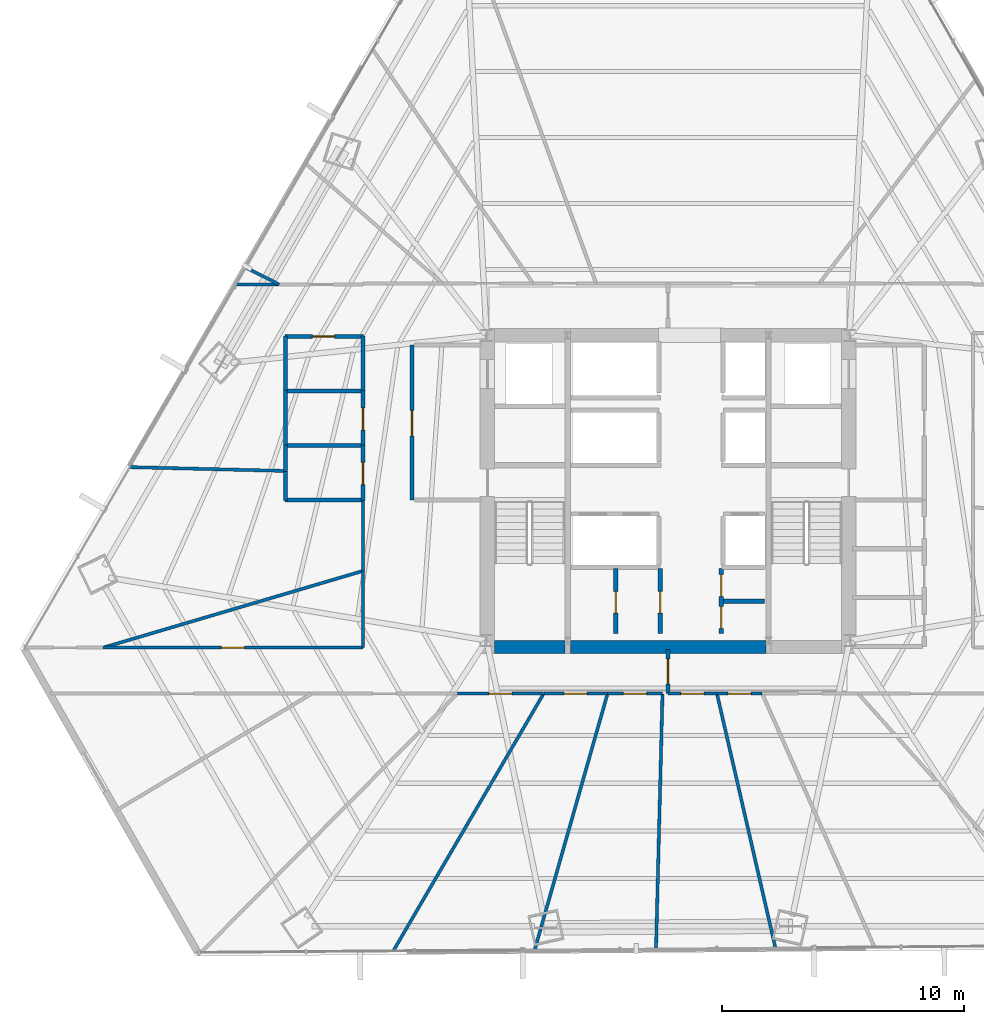
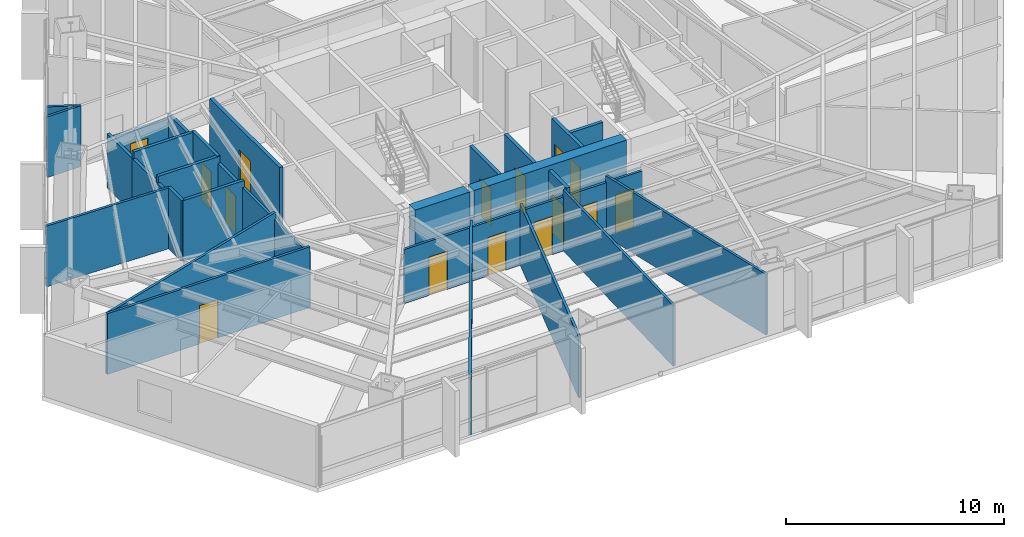
# One storey, part 30 of 36: 35 walls, 15 doors, 15 openings.
"""IFC4 building model written with IfcOpenShell, lengths in metres."""

from ifc_helpers import new_model, si_unit, direction, frame, frame_2d, origin, place, context, subcontext, project, spatial, rectangle, extrude, material, layer, layer_set, type_object, element, fill, save


model = new_model("IFC4")

# Units and contexts
model_context = context("Model", 3, precision=1e-05, world=origin(), true_north=direction((0.0, 1.0)))
body_context = subcontext(model_context, "Body", "Model", "MODEL_VIEW")
ifc_project = project(units=[si_unit("LENGTHUNIT", "METRE"), si_unit("AREAUNIT", "SQUARE_METRE"), si_unit("VOLUMEUNIT", "CUBIC_METRE"), si_unit("PLANEANGLEUNIT", "RADIAN"), si_unit("MASSUNIT", "GRAM", prefix="KILO")], contexts=[model_context])

# Site, building, storey
site_placement = place(None, origin())
site = spatial("IfcSite", under=ifc_project, at=site_placement, CompositionType="ELEMENT")
building_placement = place(site_placement, origin())
building = spatial("IfcBuilding", under=site, at=building_placement, Name="Caelisora Broadcast Tower", CompositionType="ELEMENT")
storey_placement = place(building_placement, frame((0.0, 0.0, 64.10009765625)))
storey = spatial("IfcBuildingStorey", under=building, at=storey_placement, Name="L16", CompositionType="ELEMENT", Elevation=64.10009765625)

# Walls
ifc_material_1 = material(Name="Concrete 65 MPa (AS 3600 S65)", Category="concrete")
ifc_layer_1 = layer(ifc_material_1, 0.550048828125, Name="Concrete 65 MPa (AS 3600 S65)")
ifc_layer_set_1 = layer_set([ifc_layer_1], Name="Concrete 65 MPa (AS 3600 S65)")
wall_type_1 = type_object("IfcWallType", Name="CW4", PredefinedType="SHEAR", material=ifc_layer_set_1)
wall_1_placement = place(storey_placement, frame((30.840087890625, 17.125, 0.0), z_axis=(0.0, 0.0, 1.0), x_axis=(1.0, 0.0, 0.0)))
element("IfcWall", 1, at=wall_1_placement, inside=storey, type_object=wall_type_1, Name="L16 core shear wall CW4", PredefinedType="SHEAR", context=body_context, shape_type="SweptSolid", body=[
    extrude(rectangle(XDim=2.89990234375, YDim=0.550048828125, at=frame_2d((1.449951171875, 0.0))), origin(), (0.0, 0.0, 1.0), 3.64990234375),
])
wall_2_placement = place(storey_placement, frame((33.9599609375, 17.125, 0.0), z_axis=(0.0, 0.0, 1.0), x_axis=(1.0, 0.0, 0.0)))
element("IfcWall", 2, at=wall_2_placement, inside=storey, type_object=wall_type_1, Name="L16 core shear wall CW4", PredefinedType="SHEAR", context=body_context, shape_type="SweptSolid", body=[
    extrude(rectangle(XDim=8.080078125, YDim=0.550048828125, at=frame_2d((4.0400390625, 0.0))), origin(), (0.0, 0.0, 1.0), 3.64990234375),
])

# Wall, opening, door
ifc_material_2 = material(Name="Fire-Rated Gypsum Shaft and Compartment Wall", Category="gypsum")
ifc_layer_2 = layer(ifc_material_2, 0.179931640625, Name="Fire-Rated Gypsum Shaft and Compartment Wall")
ifc_layer_set_2 = layer_set([ifc_layer_2], Name="Fire-Rated Gypsum Shaft and Compartment Wall")
wall_type_2 = type_object("IfcWallType", Name="PW2", PredefinedType="PARTITIONING", material=ifc_layer_set_2)
wall_3_placement = place(storey_placement, frame((27.419921875, 23.199951171875, 0.0), z_axis=(0.0, 0.0, 1.0), x_axis=(0.0, 1.0, 0.0)))
wall_3 = element("IfcWall", 3, at=wall_3_placement, inside=storey, type_object=wall_type_2, Name="L16 fire compartment wall PW2", PredefinedType="PARTITIONING", context=body_context, shape_type="SweptSolid", body=[
    extrude(rectangle(XDim=6.400146484375, YDim=0.179931640625, at=frame_2d((3.2001953125, 0.0))), origin(), (0.0, 0.0, 1.0), 3.39990234375),
])
opening_1_placement = place(wall_3_placement, frame((2.64990234375, 0.0, 0.0)))
opening_1 = element("IfcOpeningElement", 4, at=opening_1_placement, cuts=wall_3, Name="Opening FD02", PredefinedType="OPENING", context=body_context, shape_type="SweptSolid", body=[
    extrude(rectangle(XDim=1.050048828125, YDim=2.14990234375, at=frame_2d((0.52490234375, 1.074951171875))), frame((0.0, 0.10205078125, 0.0), z_axis=(0.0, -1.0, 0.0), x_axis=(1.0, 0.0, 0.0)), (0.0, 0.0, 1.0), 0.203857421875),
])
ifc_material_3 = material(Name="Single-Leaf Steel Fire Lobby Door", Category="steel")
door_type_1 = type_object("IfcDoorType", Name="FD02", OperationType="NOTDEFINED", PredefinedType="DOOR", material=ifc_material_3)
door_1_placement = place(opening_1_placement, origin())
door_1 = element("IfcDoor", 5, at=door_1_placement, inside=storey, type_object=door_type_1, Name="L16 door FD02 (L16-DR-P01D1)", OperationType="SINGLE_SWING_RIGHT", OverallHeight=2.14990234375, OverallWidth=1.050048828125, PredefinedType="DOOR", context=body_context, shape_type="SweptSolid", body=[
    extrude(rectangle(XDim=1.050048828125, YDim=2.14990234375, at=frame_2d((0.52490234375, 1.074951171875))), frame((0.0, 0.02490234375, 0.0), z_axis=(0.0, -1.0, 0.0), x_axis=(1.0, 0.0, 0.0)), (0.0, 0.0, 1.0), 0.050048828125),
])
fill(opening_1, door_1)

wall_4_placement = place(storey_placement, frame((35.840087890625, 17.679931640625, 0.0), z_axis=(0.0, 0.0, 1.0), x_axis=(0.0, 1.0, 0.0)))
wall_4 = element("IfcWall", 6, at=wall_4_placement, inside=storey, type_object=wall_type_2, Name="L16 fire compartment wall PW2", PredefinedType="PARTITIONING", context=body_context, shape_type="SweptSolid", body=[
    extrude(rectangle(XDim=2.699951171875, YDim=0.179931640625, at=frame_2d((1.35009765625, 0.0))), origin(), (0.0, 0.0, 1.0), 3.39990234375),
])
opening_2_placement = place(wall_4_placement, frame((0.85009765625, 0.0, 0.0)))
opening_2 = element("IfcOpeningElement", 7, at=opening_2_placement, cuts=wall_4, Name="Opening FD03", PredefinedType="OPENING", context=body_context, shape_type="SweptSolid", body=[
    extrude(rectangle(XDim=0.89990234375, YDim=2.10009765625, at=frame_2d((0.449951171875, 1.050048828125))), frame((0.0, 0.10205078125, 0.0), z_axis=(0.0, -1.0, 0.0), x_axis=(1.0, 0.0, 0.0)), (0.0, 0.0, 1.0), 0.203857421875),
])
ifc_material_4 = material(Name="Single-Leaf Steel Riser Fire Access Door", Category="steel")
door_type_2 = type_object("IfcDoorType", Name="FD03", OperationType="NOTDEFINED", PredefinedType="DOOR", material=ifc_material_4)
door_2_placement = place(opening_2_placement, origin())
door_2 = element("IfcDoor", 8, at=door_2_placement, inside=storey, type_object=door_type_2, Name="L16 door FD03 (L16-DR-P11D1)", OperationType="SINGLE_SWING_RIGHT", OverallHeight=2.10009765625, OverallWidth=0.89990234375, PredefinedType="DOOR", context=body_context, shape_type="SweptSolid", body=[
    extrude(rectangle(XDim=0.89990234375, YDim=2.10009765625, at=frame_2d((0.449951171875, 1.050048828125))), frame((0.0, 0.02490234375, 0.0), z_axis=(0.0, -1.0, 0.0), x_axis=(1.0, 0.0, 0.0)), (0.0, 0.0, 1.0), 0.050048828125),
])
fill(opening_2, door_2)

wall_5_placement = place(storey_placement, frame((37.679931640625, 17.679931640625, 0.0), z_axis=(0.0, 0.0, 1.0), x_axis=(0.0, 1.0, 0.0)))
wall_5 = element("IfcWall", 9, at=wall_5_placement, inside=storey, type_object=wall_type_2, Name="L16 fire compartment wall PW2", PredefinedType="PARTITIONING", context=body_context, shape_type="SweptSolid", body=[
    extrude(rectangle(XDim=2.699951171875, YDim=0.179931640625, at=frame_2d((1.35009765625, 0.0))), origin(), (0.0, 0.0, 1.0), 3.39990234375),
])
opening_3_placement = place(wall_5_placement, frame((0.85009765625, 0.0, 0.0)))
opening_3 = element("IfcOpeningElement", 10, at=opening_3_placement, cuts=wall_5, Name="Opening FD03", PredefinedType="OPENING", context=body_context, shape_type="SweptSolid", body=[
    extrude(rectangle(XDim=0.89990234375, YDim=2.10009765625, at=frame_2d((0.449951171875, 1.050048828125))), frame((0.0, 0.10205078125, 0.0), z_axis=(0.0, -1.0, 0.0), x_axis=(1.0, 0.0, 0.0)), (0.0, 0.0, 1.0), 0.203857421875),
])
door_3_placement = place(opening_3_placement, origin())
door_3 = element("IfcDoor", 11, at=door_3_placement, inside=storey, type_object=door_type_2, Name="L16 door FD03 (L16-DR-P12D1)", OperationType="SINGLE_SWING_LEFT", OverallHeight=2.10009765625, OverallWidth=0.89990234375, PredefinedType="DOOR", context=body_context, shape_type="SweptSolid", body=[
    extrude(rectangle(XDim=0.89990234375, YDim=2.10009765625, at=frame_2d((0.449951171875, 1.050048828125))), frame((0.0, 0.02490234375, 0.0), z_axis=(0.0, -1.0, 0.0), x_axis=(1.0, 0.0, 0.0)), (0.0, 0.0, 1.0), 0.050048828125),
])
fill(opening_3, door_3)

# Wall
wall_6_placement = place(storey_placement, frame((40.280029296875, 19.02001953125, 0.0), z_axis=(0.0, 0.0, 1.0), x_axis=(1.0, 0.0, 0.0)))
element("IfcWall", 12, at=wall_6_placement, inside=storey, type_object=wall_type_2, Name="L16 fire compartment wall PW2", PredefinedType="PARTITIONING", context=body_context, shape_type="SweptSolid", body=[
    extrude(rectangle(XDim=1.699951171875, YDim=0.179931640625, at=frame_2d((0.85009765625, 0.0))), origin(), (0.0, 0.0, 1.0), 3.39990234375),
])

# Wall, openings, doors
wall_7_placement = place(storey_placement, frame((40.199951171875, 17.679931640625, 0.0), z_axis=(0.0, 0.0, 1.0), x_axis=(0.0, 1.0, 0.0)))
wall_7 = element("IfcWall", 13, at=wall_7_placement, inside=storey, type_object=wall_type_2, Name="L16 fire compartment wall PW2", PredefinedType="PARTITIONING", context=body_context, shape_type="SweptSolid", body=[
    extrude(rectangle(XDim=2.699951171875, YDim=0.179931640625, at=frame_2d((1.35009765625, 0.0))), origin(), (0.0, 0.0, 1.0), 3.39990234375),
])
opening_4_placement = place(wall_7_placement, frame((0.219970703125, 0.0, 0.0)))
opening_4 = element("IfcOpeningElement", 14, at=opening_4_placement, cuts=wall_7, Name="Opening FD03", PredefinedType="OPENING", context=body_context, shape_type="SweptSolid", body=[
    extrude(rectangle(XDim=0.89990234375, YDim=2.10009765625, at=frame_2d((0.449951171875, 1.050048828125))), frame((0.0, 0.10205078125, 0.0), z_axis=(0.0, -1.0, 0.0), x_axis=(1.0, 0.0, 0.0)), (0.0, 0.0, 1.0), 0.203857421875),
])
opening_5_placement = place(wall_7_placement, frame((1.5400390625, 0.0, 0.0)))
opening_5 = element("IfcOpeningElement", 15, at=opening_5_placement, cuts=wall_7, Name="Opening FD03", PredefinedType="OPENING", context=body_context, shape_type="SweptSolid", body=[
    extrude(rectangle(XDim=0.89990234375, YDim=2.10009765625, at=frame_2d((0.449951171875, 1.050048828125))), frame((0.0, 0.10205078125, 0.0), z_axis=(0.0, -1.0, 0.0), x_axis=(1.0, 0.0, 0.0)), (0.0, 0.0, 1.0), 0.203857421875),
])
door_4_placement = place(opening_4_placement, origin())
door_4 = element("IfcDoor", 16, at=door_4_placement, inside=storey, type_object=door_type_2, Name="L16 door FD03 (L16-DR-P14D1)", OperationType="SINGLE_SWING_RIGHT", OverallHeight=2.10009765625, OverallWidth=0.89990234375, PredefinedType="DOOR", context=body_context, shape_type="SweptSolid", body=[
    extrude(rectangle(XDim=0.89990234375, YDim=2.10009765625, at=frame_2d((0.449951171875, 1.050048828125))), frame((0.0, 0.02490234375, 0.0), z_axis=(0.0, -1.0, 0.0), x_axis=(1.0, 0.0, 0.0)), (0.0, 0.0, 1.0), 0.050048828125),
])
fill(opening_4, door_4)
door_5_placement = place(opening_5_placement, origin())
door_5 = element("IfcDoor", 17, at=door_5_placement, inside=storey, type_object=door_type_2, Name="L16 door FD03 (L16-DR-P14D2)", OperationType="SINGLE_SWING_LEFT", OverallHeight=2.10009765625, OverallWidth=0.89990234375, PredefinedType="DOOR", context=body_context, shape_type="SweptSolid", body=[
    extrude(rectangle(XDim=0.89990234375, YDim=2.10009765625, at=frame_2d((0.449951171875, 1.050048828125))), frame((0.0, 0.02490234375, 0.0), z_axis=(0.0, -1.0, 0.0), x_axis=(1.0, 0.0, 0.0)), (0.0, 0.0, 1.0), 0.050048828125),
])
fill(opening_5, door_5)

# Wall, opening, door
wall_8_placement = place(storey_placement, frame((38.0, 15.205078125, 0.0), z_axis=(0.0, 0.0, 1.0), x_axis=(0.0, 1.0, 0.0)))
wall_8 = element("IfcWall", 18, at=wall_8_placement, inside=storey, type_object=wall_type_2, Name="L16 fire compartment wall PW2", PredefinedType="PARTITIONING", context=body_context, shape_type="SweptSolid", body=[
    extrude(rectangle(XDim=1.81982421875, YDim=0.179931640625, at=frame_2d((0.909912109375, 0.0))), origin(), (0.0, 0.0, 1.0), 3.39990234375),
])
opening_6_placement = place(wall_8_placement, frame((0.385009765625, 0.0, 0.0)))
opening_6 = element("IfcOpeningElement", 19, at=opening_6_placement, cuts=wall_8, Name="Opening FD02", PredefinedType="OPENING", context=body_context, shape_type="SweptSolid", body=[
    extrude(rectangle(XDim=1.050048828125, YDim=2.14990234375, at=frame_2d((0.52490234375, 1.074951171875))), frame((0.0, 0.10205078125, 0.0), z_axis=(0.0, -1.0, 0.0), x_axis=(1.0, 0.0, 0.0)), (0.0, 0.0, 1.0), 0.203857421875),
])
door_6_placement = place(opening_6_placement, origin())
door_6 = element("IfcDoor", 20, at=door_6_placement, inside=storey, type_object=door_type_1, Name="L16 door FD02 (L16-DR-P73D1)", OperationType="SINGLE_SWING_RIGHT", OverallHeight=2.14990234375, OverallWidth=1.050048828125, PredefinedType="DOOR", context=body_context, shape_type="SweptSolid", body=[
    extrude(rectangle(XDim=1.050048828125, YDim=2.14990234375, at=frame_2d((0.52490234375, 1.074951171875))), frame((0.0, 0.02490234375, 0.0), z_axis=(0.0, -1.0, 0.0), x_axis=(1.0, 0.0, 0.0)), (0.0, 0.0, 1.0), 0.050048828125),
])
fill(opening_6, door_6)

# Walls
ifc_material_5 = material(Name="Acoustic Steel-Stud Plasterboard Partition", Category="gypsum")
ifc_layer_3 = layer(ifc_material_5, 0.1298828125, Name="Acoustic Steel-Stud Plasterboard Partition")
ifc_layer_set_3 = layer_set([ifc_layer_3], Name="Acoustic Steel-Stud Plasterboard Partition")
wall_type_3 = type_object("IfcWallType", Name="PW3", PredefinedType="PARTITIONING", material=ifc_layer_set_3)
wall_9_placement = place(storey_placement, frame((26.643798828125, 4.56201171875, 0.0), z_axis=(0.0, 0.0, 1.0), x_axis=(0.504473601937, 0.863427116176, 0.0)))
element("IfcWall", 21, at=wall_9_placement, inside=storey, type_object=wall_type_3, Name="L16 internal partition PW3", PredefinedType="PARTITIONING", context=body_context, shape_type="SweptSolid", body=[
    extrude(rectangle(XDim=12.316162109375, YDim=0.1298828125, at=frame_2d((6.158203125, 0.0))), origin(), (0.0, 0.0, 1.0), 3.39990234375),
])
wall_10_placement = place(storey_placement, frame((14.6650390625, 17.10107421875, 0.0), z_axis=(0.0, 0.0, 1.0), x_axis=(0.959072405606, 0.283160945055, 0.0)))
element("IfcWall", 22, at=wall_10_placement, inside=storey, type_object=wall_type_3, Name="L16 internal partition PW3", PredefinedType="PARTITIONING", context=body_context, shape_type="SweptSolid", body=[
    extrude(rectangle(XDim=11.18798828125, YDim=0.1298828125, at=frame_2d((5.593994140625, 0.0))), origin(), (0.0, 0.0, 1.0), 3.39990234375),
])
wall_11_placement = place(storey_placement, frame((32.488037109375, 4.6083984375, 0.0), z_axis=(0.0, 0.0, 1.0), x_axis=(0.273563727283, 0.961853880335, 0.0)))
element("IfcWall", 23, at=wall_11_placement, inside=storey, type_object=wall_type_3, Name="L16 internal partition PW3", PredefinedType="PARTITIONING", context=body_context, shape_type="SweptSolid", body=[
    extrude(rectangle(XDim=11.006591796875, YDim=0.1298828125, at=frame_2d((5.50341796875, 0.0))), origin(), (0.0, 0.0, 1.0), 3.39990234375),
])
wall_12_placement = place(storey_placement, frame((40.02099609375, 15.195068359375, 0.0), z_axis=(0.0, 0.0, 1.0), x_axis=(0.224131778114, -0.974558846884, 0.0)))
element("IfcWall", 24, at=wall_12_placement, inside=storey, type_object=wall_type_3, Name="L16 internal partition PW3", PredefinedType="PARTITIONING", context=body_context, shape_type="SweptSolid", body=[
    extrude(rectangle(XDim=10.78173828125, YDim=0.1298828125, at=frame_2d((5.390869140625, 0.0))), origin(), (0.0, 0.0, 1.0), 3.39990234375),
])

# Wall, opening, door
wall_13_placement = place(storey_placement, frame((14.6650390625, 17.10009765625, 0.0), z_axis=(0.0, 0.0, 1.0), x_axis=(1.0, 0.0, 0.0)))
wall_13 = element("IfcWall", 25, at=wall_13_placement, inside=storey, type_object=wall_type_3, Name="L16 internal partition PW3", PredefinedType="PARTITIONING", context=body_context, shape_type="SweptSolid", body=[
    extrude(rectangle(XDim=10.72998046875, YDim=0.1298828125, at=frame_2d((5.364990234375, 0.0))), origin(), (0.0, 0.0, 1.0), 3.39990234375),
])
opening_7_placement = place(wall_13_placement, frame((4.885009765625, 0.0, 0.0)))
opening_7 = element("IfcOpeningElement", 26, at=opening_7_placement, cuts=wall_13, Name="Opening D01", PredefinedType="OPENING", context=body_context, shape_type="SweptSolid", body=[
    extrude(rectangle(XDim=0.9599609375, YDim=2.14990234375, at=frame_2d((0.47998046875, 1.074951171875))), frame((0.0, 0.076904296875, 0.0), z_axis=(0.0, -1.0, 0.0), x_axis=(1.0, 0.0, 0.0)), (0.0, 0.0, 1.0), 0.15380859375),
])
ifc_material_6 = material(Name="Solid-Core Timber Acoustic Office Door", Category="wood")
door_type_3 = type_object("IfcDoorType", Name="D01", OperationType="NOTDEFINED", PredefinedType="DOOR", material=ifc_material_6)
door_7_placement = place(opening_7_placement, origin())
door_7 = element("IfcDoor", 27, at=door_7_placement, inside=storey, type_object=door_type_3, Name="L16 door D01 (L16-DR-P42D1)", OperationType="SINGLE_SWING_RIGHT", OverallHeight=2.14990234375, OverallWidth=0.9599609375, PredefinedType="DOOR", context=body_context, shape_type="SweptSolid", body=[
    extrude(rectangle(XDim=0.9599609375, YDim=2.14990234375, at=frame_2d((0.47998046875, 1.074951171875))), frame((0.0, 0.02490234375, 0.0), z_axis=(0.0, -1.0, 0.0), x_axis=(1.0, 0.0, 0.0)), (0.0, 0.0, 1.0), 0.050048828125),
])
fill(opening_7, door_7)

# Walls
wall_14_placement = place(storey_placement, frame((37.50244140625, 4.6484375, 0.0), z_axis=(0.0, 0.0, 1.0), x_axis=(0.025362796142, 0.999678312545, 0.0)))
element("IfcWall", 28, at=wall_14_placement, inside=storey, type_object=wall_type_3, Name="L16 internal partition PW3", PredefinedType="PARTITIONING", context=body_context, shape_type="SweptSolid", body=[
    extrude(rectangle(XDim=10.550048828125, YDim=0.1298828125, at=frame_2d((5.27490234375, 0.0))), origin(), (0.0, 0.0, 1.0), 3.39990234375),
])
wall_15_placement = place(storey_placement, frame((15.75732421875, 24.557373046875, 0.0), z_axis=(0.0, 0.0, 1.0), x_axis=(0.99970097515, -0.024453226477, 0.0)))
element("IfcWall", 29, at=wall_15_placement, inside=storey, type_object=wall_type_3, Name="L16 internal partition PW3", PredefinedType="PARTITIONING", context=body_context, shape_type="SweptSolid", body=[
    extrude(rectangle(XDim=6.439697265625, YDim=0.1298828125, at=frame_2d((3.2197265625, 0.0))), origin(), (0.0, 0.0, 1.0), 3.39990234375),
])

# Wall, opening, door
wall_16_placement = place(storey_placement, frame((29.294921875, 15.199951171875, 0.0), z_axis=(0.0, 0.0, 1.0), x_axis=(1.0, 0.0, 0.0)))
wall_16 = element("IfcWall", 30, at=wall_16_placement, inside=storey, type_object=wall_type_3, Name="L16 internal partition PW3", PredefinedType="PARTITIONING", context=body_context, shape_type="SweptSolid", body=[
    extrude(rectangle(XDim=3.56005859375, YDim=0.1298828125, at=frame_2d((1.780029296875, 0.0))), origin(), (0.0, 0.0, 1.0), 3.0263671875),
])
opening_8_placement = place(wall_16_placement, frame((1.300048828125, 0.0, 0.0)))
opening_8 = element("IfcOpeningElement", 31, at=opening_8_placement, cuts=wall_16, Name="Opening D01", PredefinedType="OPENING", context=body_context, shape_type="SweptSolid", body=[
    extrude(rectangle(XDim=0.9599609375, YDim=2.14990234375, at=frame_2d((0.47998046875, 1.074951171875))), frame((0.0, 0.076904296875, 0.0), z_axis=(0.0, -1.0, 0.0), x_axis=(1.0, 0.0, 0.0)), (0.0, 0.0, 1.0), 0.15380859375),
])
door_8_placement = place(opening_8_placement, origin())
door_8 = element("IfcDoor", 32, at=door_8_placement, inside=storey, type_object=door_type_3, Name="L16 door D01 (L16-DR-P61D1)", OperationType="SINGLE_SWING_LEFT", OverallHeight=2.14990234375, OverallWidth=0.9599609375, PredefinedType="DOOR", context=body_context, shape_type="SweptSolid", body=[
    extrude(rectangle(XDim=0.9599609375, YDim=2.14990234375, at=frame_2d((0.47998046875, 1.074951171875))), frame((0.0, 0.02490234375, 0.0), z_axis=(0.0, -1.0, 0.0), x_axis=(1.0, 0.0, 0.0)), (0.0, 0.0, 1.0), 0.050048828125),
])
fill(opening_8, door_8)

# Walls
wall_17_placement = place(storey_placement, frame((25.39990234375, 17.10498046875, 0.0), z_axis=(0.0, 0.0, 1.0), x_axis=(0.0, 1.0, 0.0)))
element("IfcWall", 33, at=wall_17_placement, inside=storey, type_object=wall_type_3, Name="L16 internal partition PW3", PredefinedType="PARTITIONING", context=body_context, shape_type="SweptSolid", body=[
    extrude(rectangle(XDim=3.159912109375, YDim=0.1298828125, at=frame_2d((1.580078125, 0.0))), origin(), (0.0, 0.0, 1.0), 3.0263671875),
])
wall_18_placement = place(storey_placement, frame((25.39990234375, 20.27490234375, 0.0), z_axis=(0.0, 0.0, 1.0), x_axis=(0.0, 1.0, 0.0)))
element("IfcWall", 34, at=wall_18_placement, inside=storey, type_object=wall_type_3, Name="L16 internal partition PW3", PredefinedType="PARTITIONING", context=body_context, shape_type="SweptSolid", body=[
    extrude(rectangle(XDim=2.920166015625, YDim=0.1298828125, at=frame_2d((1.4599609375, 0.0))), origin(), (0.0, 0.0, 1.0), 3.0263671875),
])

# Wall, opening, door
wall_19_placement = place(storey_placement, frame((32.864990234375, 15.199951171875, 0.0), z_axis=(0.0, 0.0, 1.0), x_axis=(1.0, 0.0, 0.0)))
wall_19 = element("IfcWall", 35, at=wall_19_placement, inside=storey, type_object=wall_type_3, Name="L16 internal partition PW3", PredefinedType="PARTITIONING", context=body_context, shape_type="SweptSolid", body=[
    extrude(rectangle(XDim=2.630126953125, YDim=0.1298828125, at=frame_2d((1.31494140625, 0.0))), origin(), (0.0, 0.0, 1.0), 3.0263671875),
])
opening_9_placement = place(wall_19_placement, frame((0.8349609375, 0.0, 0.0)))
opening_9 = element("IfcOpeningElement", 36, at=opening_9_placement, cuts=wall_19, Name="Opening D01", PredefinedType="OPENING", context=body_context, shape_type="SweptSolid", body=[
    extrude(rectangle(XDim=0.9599609375, YDim=2.14990234375, at=frame_2d((0.47998046875, 1.074951171875))), frame((0.0, 0.076904296875, 0.0), z_axis=(0.0, -1.0, 0.0), x_axis=(1.0, 0.0, 0.0)), (0.0, 0.0, 1.0), 0.15380859375),
])
door_9_placement = place(opening_9_placement, origin())
door_9 = element("IfcDoor", 37, at=door_9_placement, inside=storey, type_object=door_type_3, Name="L16 door D01 (L16-DR-P68D1)", OperationType="SINGLE_SWING_RIGHT", OverallHeight=2.14990234375, OverallWidth=0.9599609375, PredefinedType="DOOR", context=body_context, shape_type="SweptSolid", body=[
    extrude(rectangle(XDim=0.9599609375, YDim=2.14990234375, at=frame_2d((0.47998046875, 1.074951171875))), frame((0.0, 0.02490234375, 0.0), z_axis=(0.0, -1.0, 0.0), x_axis=(1.0, 0.0, 0.0)), (0.0, 0.0, 1.0), 0.050048828125),
])
fill(opening_9, door_9)

wall_20_placement = place(storey_placement, frame((35.5048828125, 15.199951171875, 0.0), z_axis=(0.0, 0.0, 1.0), x_axis=(1.0, 0.0, 0.0)))
wall_20 = element("IfcWall", 38, at=wall_20_placement, inside=storey, type_object=wall_type_3, Name="L16 internal partition PW3", PredefinedType="PARTITIONING", context=body_context, shape_type="SweptSolid", body=[
    extrude(rectangle(XDim=2.260009765625, YDim=0.1298828125, at=frame_2d((1.1298828125, 0.0))), origin(), (0.0, 0.0, 1.0), 3.0263671875),
])
opening_10_placement = place(wall_20_placement, frame((0.64990234375, 0.0, 0.0)))
opening_10 = element("IfcOpeningElement", 39, at=opening_10_placement, cuts=wall_20, Name="Opening D01", PredefinedType="OPENING", context=body_context, shape_type="SweptSolid", body=[
    extrude(rectangle(XDim=0.9599609375, YDim=2.14990234375, at=frame_2d((0.47998046875, 1.074951171875))), frame((0.0, 0.076904296875, 0.0), z_axis=(0.0, -1.0, 0.0), x_axis=(1.0, 0.0, 0.0)), (0.0, 0.0, 1.0), 0.15380859375),
])
door_10_placement = place(opening_10_placement, origin())
door_10 = element("IfcDoor", 40, at=door_10_placement, inside=storey, type_object=door_type_3, Name="L16 door D01 (L16-DR-P70D1)", OperationType="SINGLE_SWING_RIGHT", OverallHeight=2.14990234375, OverallWidth=0.9599609375, PredefinedType="DOOR", context=body_context, shape_type="SweptSolid", body=[
    extrude(rectangle(XDim=0.9599609375, YDim=2.14990234375, at=frame_2d((0.47998046875, 1.074951171875))), frame((0.0, 0.02490234375, 0.0), z_axis=(0.0, -1.0, 0.0), x_axis=(1.0, 0.0, 0.0)), (0.0, 0.0, 1.0), 0.050048828125),
])
fill(opening_10, door_10)

wall_21_placement = place(storey_placement, frame((38.0048828125, 15.199951171875, 0.0), z_axis=(0.0, 0.0, 1.0), x_axis=(1.0, 0.0, 0.0)))
wall_21 = element("IfcWall", 41, at=wall_21_placement, inside=storey, type_object=wall_type_3, Name="L16 internal partition PW3", PredefinedType="PARTITIONING", context=body_context, shape_type="SweptSolid", body=[
    extrude(rectangle(XDim=2.010009765625, YDim=0.1298828125, at=frame_2d((1.0048828125, 0.0))), origin(), (0.0, 0.0, 1.0), 3.0263671875),
])
opening_11_placement = place(wall_21_placement, frame((0.52490234375, 0.0, 0.0)))
opening_11 = element("IfcOpeningElement", 42, at=opening_11_placement, cuts=wall_21, Name="Opening D01", PredefinedType="OPENING", context=body_context, shape_type="SweptSolid", body=[
    extrude(rectangle(XDim=0.9599609375, YDim=2.14990234375, at=frame_2d((0.47998046875, 1.074951171875))), frame((0.0, 0.076904296875, 0.0), z_axis=(0.0, -1.0, 0.0), x_axis=(1.0, 0.0, 0.0)), (0.0, 0.0, 1.0), 0.15380859375),
])
door_11_placement = place(opening_11_placement, origin())
door_11 = element("IfcDoor", 43, at=door_11_placement, inside=storey, type_object=door_type_3, Name="L16 door D01 (L16-DR-P71D1)", OperationType="SINGLE_SWING_LEFT", OverallHeight=2.14990234375, OverallWidth=0.9599609375, PredefinedType="DOOR", context=body_context, shape_type="SweptSolid", body=[
    extrude(rectangle(XDim=0.9599609375, YDim=2.14990234375, at=frame_2d((0.47998046875, 1.074951171875))), frame((0.0, 0.02490234375, 0.0), z_axis=(0.0, -1.0, 0.0), x_axis=(1.0, 0.0, 0.0)), (0.0, 0.0, 1.0), 0.050048828125),
])
fill(opening_11, door_11)

# Wall
wall_22_placement = place(storey_placement, frame((20.145751953125, 32.10009765625, 0.0), z_axis=(0.0, 0.0, 1.0), x_axis=(1.0, 0.0, 0.0)))
element("IfcWall", 44, at=wall_22_placement, inside=storey, type_object=wall_type_3, Name="L16 internal partition PW3", PredefinedType="PARTITIONING", context=body_context, shape_type="SweptSolid", body=[
    extrude(rectangle(XDim=1.789306640625, YDim=0.1298828125, at=frame_2d((0.89453125, 0.0))), origin(), (0.0, 0.0, 1.0), 3.39990234375),
])

# Wall, opening, door
wall_23_placement = place(storey_placement, frame((40.02490234375, 15.199951171875, 0.0), z_axis=(0.0, 0.0, 1.0), x_axis=(1.0, 0.0, 0.0)))
wall_23 = element("IfcWall", 45, at=wall_23_placement, inside=storey, type_object=wall_type_3, Name="L16 internal partition PW3", PredefinedType="PARTITIONING", context=body_context, shape_type="SweptSolid", body=[
    extrude(rectangle(XDim=1.860107421875, YDim=0.1298828125, at=frame_2d((0.93017578125, 0.0))), origin(), (0.0, 0.0, 1.0), 3.0263671875),
])
opening_12_placement = place(wall_23_placement, frame((0.449951171875, 0.0, 0.0)))
opening_12 = element("IfcOpeningElement", 46, at=opening_12_placement, cuts=wall_23, Name="Opening D01", PredefinedType="OPENING", context=body_context, shape_type="SweptSolid", body=[
    extrude(rectangle(XDim=0.9599609375, YDim=2.14990234375, at=frame_2d((0.47998046875, 1.074951171875))), frame((0.0, 0.076904296875, 0.0), z_axis=(0.0, -1.0, 0.0), x_axis=(1.0, 0.0, 0.0)), (0.0, 0.0, 1.0), 0.15380859375),
])
door_12_placement = place(opening_12_placement, origin())
door_12 = element("IfcDoor", 47, at=door_12_placement, inside=storey, type_object=door_type_3, Name="L16 door D01 (L16-DR-P74D1)", OperationType="SINGLE_SWING_LEFT", OverallHeight=2.14990234375, OverallWidth=0.9599609375, PredefinedType="DOOR", context=body_context, shape_type="SweptSolid", body=[
    extrude(rectangle(XDim=0.9599609375, YDim=2.14990234375, at=frame_2d((0.47998046875, 1.074951171875))), frame((0.0, 0.02490234375, 0.0), z_axis=(0.0, -1.0, 0.0), x_axis=(1.0, 0.0, 0.0)), (0.0, 0.0, 1.0), 0.050048828125),
])
fill(opening_12, door_12)

# Walls
wall_24_placement = place(storey_placement, frame((20.55224609375, 32.798583984375, 0.0), z_axis=(0.0, 0.0, 1.0), x_axis=(0.893226291154, -0.449607376264, 0.0)))
element("IfcWall", 48, at=wall_24_placement, inside=storey, type_object=wall_type_3, Name="L16 internal partition PW3", PredefinedType="PARTITIONING", context=body_context, shape_type="SweptSolid", body=[
    extrude(rectangle(XDim=1.54931640625, YDim=0.1298828125, at=frame_2d((0.774658203125, 0.0))), origin(), (0.0, 0.0, 1.0), 3.39990234375),
])
ifc_material_7 = material(Name="Moisture-Resistant Wet Plumbing Service Wall", Category="gypsum")
ifc_layer_4 = layer(ifc_material_7, 0.159912109375, Name="Moisture-Resistant Wet Plumbing Service Wall")
ifc_layer_set_4 = layer_set([ifc_layer_4], Name="Moisture-Resistant Wet Plumbing Service Wall")
wall_type_4 = type_object("IfcWallType", Name="PW4", PredefinedType="PLUMBINGWALL", material=ifc_layer_set_4)
for number, where, z_axis, x_axis, name in (
    (49, (22.175048828125, 23.199951171875, 0.0), (0.0, 0.0, 1.0), (1.0, 0.0, 0.0), "L16 wet plumbing wall PW4"),
    (50, (22.175048828125, 25.449951171875, 0.0), (0.0, 0.0, 1.0), (1.0, 0.0, 0.0), "L16 wet plumbing wall PW4"),
    (51, (22.175048828125, 27.699951171875, 0.0), (0.0, 0.0, 1.0), (1.0, 0.0, 0.0), "L16 wet plumbing wall PW4"),
):
    element("IfcWall", number, at=place(storey_placement, frame(where, z_axis=z_axis, x_axis=x_axis)), inside=storey, type_object=wall_type_4, Name=name, PredefinedType="PLUMBINGWALL", context=body_context, shape_type="SweptSolid", body=[
        extrude(rectangle(XDim=3.25, YDim=0.159912109375, at=frame_2d((1.625, 0.0))), origin(), (0.0, 0.0, 1.0), 3.39990234375),
    ])

# Wall, opening, door
wall_25_placement = place(storey_placement, frame((22.175048828125, 29.949951171875, 0.0), z_axis=(0.0, 0.0, 1.0), x_axis=(1.0, 0.0, 0.0)))
wall_25 = element("IfcWall", 52, at=wall_25_placement, inside=storey, type_object=wall_type_4, Name="L16 wet plumbing wall PW4", PredefinedType="PLUMBINGWALL", context=body_context, shape_type="SweptSolid", body=[
    extrude(rectangle(XDim=3.25, YDim=0.159912109375, at=frame_2d((1.625, 0.0))), origin(), (0.0, 0.0, 1.0), 2.78271484375),
])
opening_13_placement = place(wall_25_placement, frame((1.135009765625, 0.0, 0.0)))
opening_13 = element("IfcOpeningElement", 53, at=opening_13_placement, cuts=wall_25, Name="Opening D03", PredefinedType="OPENING", context=body_context, shape_type="SweptSolid", body=[
    extrude(rectangle(XDim=0.919921875, YDim=2.10009765625, at=frame_2d((0.4599609375, 1.050048828125))), frame((0.0, 0.092041015625, 0.0), z_axis=(0.0, -1.0, 0.0), x_axis=(1.0, 0.0, 0.0)), (0.0, 0.0, 1.0), 0.183837890625),
])
ifc_material_8 = material(Name="Laminate Moisture-Resistant Amenity WC Door", Category="wood")
door_type_4 = type_object("IfcDoorType", Name="D03", OperationType="NOTDEFINED", PredefinedType="DOOR", material=ifc_material_8)
door_13_placement = place(opening_13_placement, origin())
door_13 = element("IfcDoor", 54, at=door_13_placement, inside=storey, type_object=door_type_4, Name="L16 door D03 (L16-DR-P22D1)", OperationType="SINGLE_SWING_LEFT", OverallHeight=2.10009765625, OverallWidth=0.919921875, PredefinedType="DOOR", context=body_context, shape_type="SweptSolid", body=[
    extrude(rectangle(XDim=0.919921875, YDim=2.10009765625, at=frame_2d((0.4599609375, 1.050048828125))), frame((0.0, 0.02490234375, 0.0), z_axis=(0.0, -1.0, 0.0), x_axis=(1.0, 0.0, 0.0)), (0.0, 0.0, 1.0), 0.050048828125),
])
fill(opening_13, door_13)

wall_26_placement = place(storey_placement, frame((25.39990234375, 23.175048828125, 0.0), z_axis=(0.0, 0.0, 1.0), x_axis=(0.0, 1.0, 0.0)))
wall_26 = element("IfcWall", 55, at=wall_26_placement, inside=storey, type_object=wall_type_4, Name="L16 wet plumbing wall PW4", PredefinedType="PLUMBINGWALL", context=body_context, shape_type="SweptSolid", body=[
    extrude(rectangle(XDim=2.300048828125, YDim=0.159912109375, at=frame_2d((1.14990234375, 0.0))), origin(), (0.0, 0.0, 1.0), 3.0263671875),
])
opening_14_placement = place(wall_26_placement, frame((0.659912109375, 0.0, 0.0)))
opening_14 = element("IfcOpeningElement", 56, at=opening_14_placement, cuts=wall_26, Name="Opening D03", PredefinedType="OPENING", context=body_context, shape_type="SweptSolid", body=[
    extrude(rectangle(XDim=0.919921875, YDim=2.10009765625, at=frame_2d((0.4599609375, 1.050048828125))), frame((0.0, 0.092041015625, 0.0), z_axis=(0.0, -1.0, 0.0), x_axis=(1.0, 0.0, 0.0)), (0.0, 0.0, 1.0), 0.183837890625),
])
door_14_placement = place(opening_14_placement, origin())
door_14 = element("IfcDoor", 57, at=door_14_placement, inside=storey, type_object=door_type_4, Name="L16 door D03 (L16-DR-P23D1)", OperationType="SINGLE_SWING_RIGHT", OverallHeight=2.10009765625, OverallWidth=0.919921875, PredefinedType="DOOR", context=body_context, shape_type="SweptSolid", body=[
    extrude(rectangle(XDim=0.919921875, YDim=2.10009765625, at=frame_2d((0.4599609375, 1.050048828125))), frame((0.0, 0.02490234375, 0.0), z_axis=(0.0, -1.0, 0.0), x_axis=(1.0, 0.0, 0.0)), (0.0, 0.0, 1.0), 0.050048828125),
])
fill(opening_14, door_14)

wall_27_placement = place(storey_placement, frame((25.39990234375, 25.425048828125, 0.0), z_axis=(0.0, 0.0, 1.0), x_axis=(0.0, 1.0, 0.0)))
wall_27 = element("IfcWall", 58, at=wall_27_placement, inside=storey, type_object=wall_type_4, Name="L16 wet plumbing wall PW4", PredefinedType="PLUMBINGWALL", context=body_context, shape_type="SweptSolid", body=[
    extrude(rectangle(XDim=2.300048828125, YDim=0.159912109375, at=frame_2d((1.14990234375, 0.0))), origin(), (0.0, 0.0, 1.0), 3.39990234375),
])
opening_15_placement = place(wall_27_placement, frame((0.659912109375, 0.0, 0.0)))
opening_15 = element("IfcOpeningElement", 59, at=opening_15_placement, cuts=wall_27, Name="Opening D03", PredefinedType="OPENING", context=body_context, shape_type="SweptSolid", body=[
    extrude(rectangle(XDim=0.919921875, YDim=2.10009765625, at=frame_2d((0.4599609375, 1.050048828125))), frame((0.0, 0.092041015625, 0.0), z_axis=(0.0, -1.0, 0.0), x_axis=(1.0, 0.0, 0.0)), (0.0, 0.0, 1.0), 0.183837890625),
])
door_15_placement = place(opening_15_placement, origin())
door_15 = element("IfcDoor", 60, at=door_15_placement, inside=storey, type_object=door_type_4, Name="L16 door D03 (L16-DR-P24D1)", OperationType="SINGLE_SWING_LEFT", OverallHeight=2.10009765625, OverallWidth=0.919921875, PredefinedType="DOOR", context=body_context, shape_type="SweptSolid", body=[
    extrude(rectangle(XDim=0.919921875, YDim=2.10009765625, at=frame_2d((0.4599609375, 1.050048828125))), frame((0.0, 0.02490234375, 0.0), z_axis=(0.0, -1.0, 0.0), x_axis=(1.0, 0.0, 0.0)), (0.0, 0.0, 1.0), 0.050048828125),
])
fill(opening_15, door_15)

# Walls
for number, where, z_axis, x_axis, name in (
    (61, (25.39990234375, 27.675048828125, 0.0), (0.0, 0.0, 1.0), (0.0, 1.0, 0.0), "L16 wet plumbing wall PW4"),
    (62, (22.199951171875, 25.425048828125, 0.0), (0.0, 0.0, 1.0), (0.0, 1.0, 0.0), "L16 wet plumbing wall PW4"),
    (63, (22.199951171875, 27.675048828125, 0.0), (0.0, 0.0, 1.0), (0.0, 1.0, 0.0), "L16 wet plumbing wall PW4"),
):
    element("IfcWall", number, at=place(storey_placement, frame(where, z_axis=z_axis, x_axis=x_axis)), inside=storey, type_object=wall_type_4, Name=name, PredefinedType="PLUMBINGWALL", context=body_context, shape_type="SweptSolid", body=[
        extrude(rectangle(XDim=2.300048828125, YDim=0.159912109375, at=frame_2d((1.14990234375, 0.0))), origin(), (0.0, 0.0, 1.0), 3.0263671875),
    ])
wall_28_placement = place(storey_placement, frame((22.199951171875, 24.425048828125, 0.0), z_axis=(0.0, 0.0, 1.0), x_axis=(0.0, -1.0, 0.0)))
element("IfcWall", 64, at=wall_28_placement, inside=storey, type_object=wall_type_4, Name="L16 wet plumbing wall PW4", PredefinedType="PLUMBINGWALL", context=body_context, shape_type="SweptSolid", body=[
    extrude(rectangle(XDim=1.25, YDim=0.159912109375, at=frame_2d((0.625, 0.0))), origin(), (0.0, 0.0, 1.0), 3.39990234375),
])
wall_29_placement = place(storey_placement, frame((22.199951171875, 24.375, 0.0), z_axis=(0.0, 0.0, 1.0), x_axis=(0.0, 1.0, 0.0)))
element("IfcWall", 65, at=wall_29_placement, inside=storey, type_object=wall_type_4, Name="L16 wet plumbing wall PW4", PredefinedType="PLUMBINGWALL", context=body_context, shape_type="SweptSolid", body=[
    extrude(rectangle(XDim=1.10009765625, YDim=0.159912109375, at=frame_2d((0.550048828125, 0.0))), origin(), (0.0, 0.0, 1.0), 3.0263671875),
])

save(model, "model.ifc")
